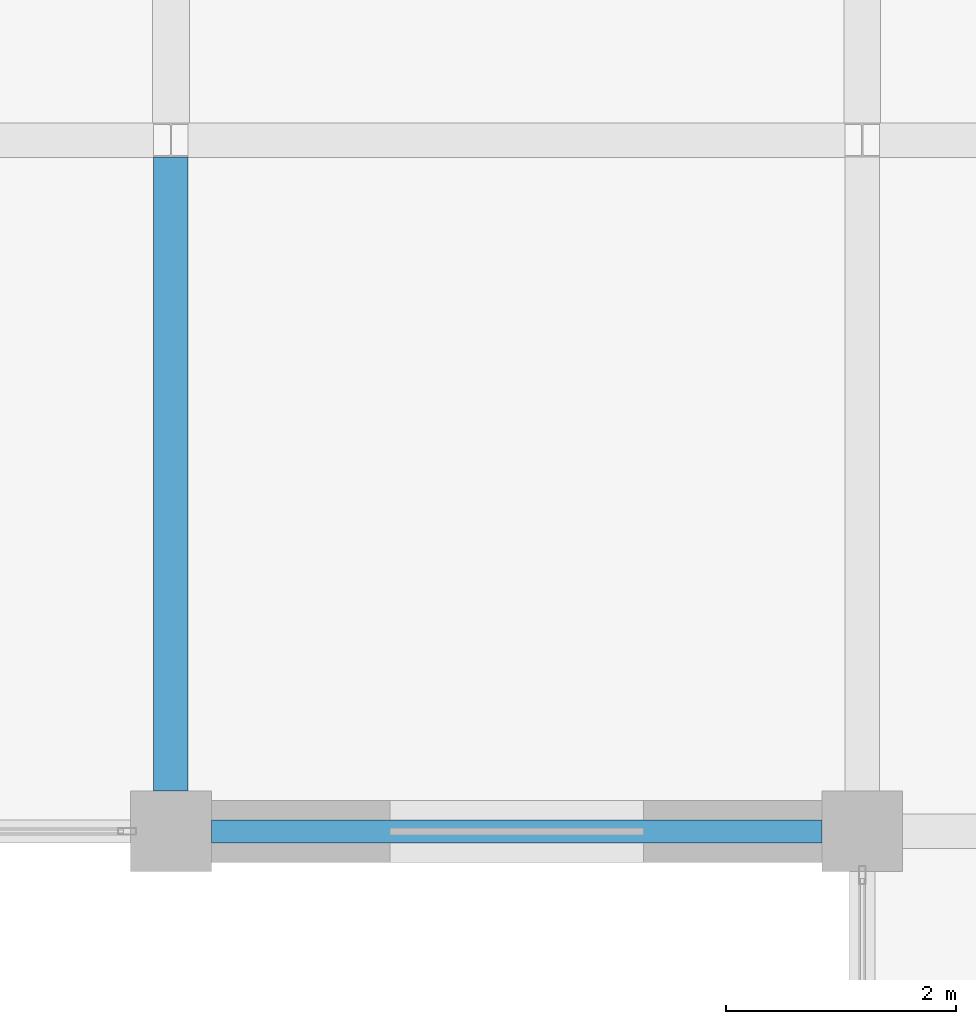
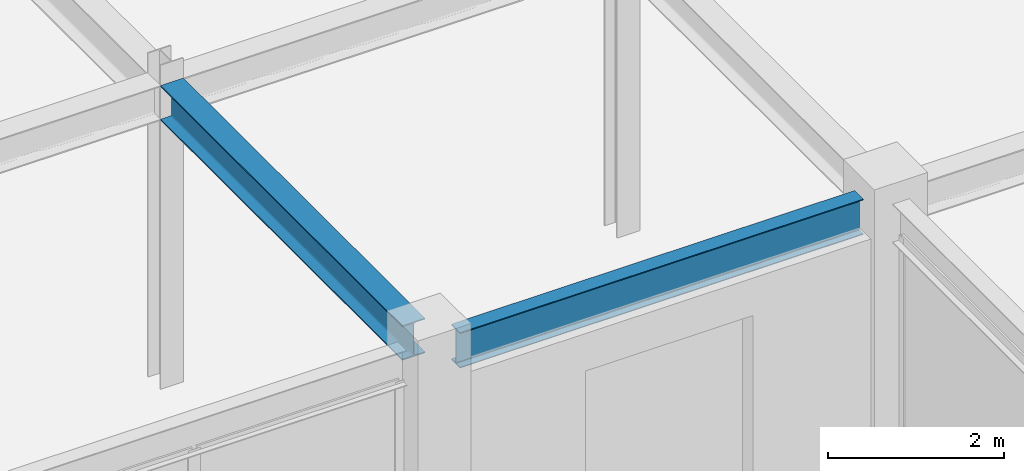
# One storey, part 55 of 108: 2 beams.
"""IFC4 building model written with IfcOpenShell, lengths in metres."""

from ifc_helpers import new_model, si_unit, direction, frame, origin, origin_2d, place, context, subcontext, project, spatial, i_section, extrude, material, material_profile, profile_set, type_object, element, save


model = new_model("IFC4")

# Units and contexts
model_context = context("Model", 3, precision=1e-05, world=origin(), true_north=direction((0.0, 1.0)))
body_context = subcontext(model_context, "Body", "Model", "MODEL_VIEW")
ifc_project = project(units=[si_unit("LENGTHUNIT", "METRE"), si_unit("AREAUNIT", "SQUARE_METRE"), si_unit("VOLUMEUNIT", "CUBIC_METRE"), si_unit("PLANEANGLEUNIT", "RADIAN"), si_unit("MASSUNIT", "GRAM", prefix="KILO")], contexts=[model_context])

# Site, building, storey
site_placement = place(None, origin())
site = spatial("IfcSite", under=ifc_project, at=site_placement, CompositionType="ELEMENT")
building_placement = place(site_placement, origin())
building = spatial("IfcBuilding", under=site, at=building_placement, Name="Zlatovratsky Civic Hall", CompositionType="ELEMENT")
storey_placement = place(building_placement, frame((0.0, 0.0, 12.0)))
storey = spatial("IfcBuildingStorey", under=building, at=storey_placement, Name="L03", CompositionType="ELEMENT", Elevation=12.0)

# Beams
ifc_material = material(Name="Steel S355", Category="steel")
ifc_material_profile_1 = material_profile(ifc_material, i_section(OverallWidth=0.300048828125, OverallDepth=0.48193359375, WebThickness=0.010986328125, FlangeThickness=0.014892578125, FilletRadius=0.02392578125, at=origin_2d()), Name="50Sh1")
ifc_profile_set_1 = profile_set([ifc_material_profile_1], Name="Steel S355")
beam_type_1 = type_object("IfcBeamType", Name="Beam_LibraryGirder_50Sh1", PredefinedType="BEAM", material=ifc_profile_set_1)
beam_1_placement = place(storey_placement, frame((108.0, 12.35009765625, 3.97900390625), z_axis=(0.0, 1.0, 0.0), x_axis=(-1.0, 0.0, 0.0)))
element("IfcBeam", 1, at=beam_1_placement, inside=storey, type_object=beam_type_1, Name="BM-2997", PredefinedType="BEAM", context=body_context, shape_type="SweptSolid", body=[
    extrude(i_section(OverallWidth=0.300048828125, OverallDepth=0.48193359375, WebThickness=0.010986328125, FlangeThickness=0.014892578125, FilletRadius=0.02392578125, at=origin_2d()), origin(), (0.0, 0.0, 1.0), 5.501953125),
])
ifc_material_profile_2 = material_profile(ifc_material, i_section(OverallWidth=0.198974609375, OverallDepth=0.491943359375, WebThickness=0.0087890625, FlangeThickness=0.011962890625, FilletRadius=0.01611328125, at=origin_2d()), Name="50B1")
ifc_profile_set_2 = profile_set([ifc_material_profile_2], Name="Steel S355")
beam_type_2 = type_object("IfcBeamType", Name="Beam_Spandrel_50B1", PredefinedType="SPANDREL", material=ifc_profile_set_2)
beam_2_placement = place(storey_placement, frame((108.35009765625, 12.0, 3.97412109375), z_axis=(1.0, 0.0, 0.0), x_axis=(0.0, 1.0, 0.0)))
element("IfcBeam", 2, at=beam_2_placement, inside=storey, type_object=beam_type_2, Name="BM-2496", PredefinedType="SPANDREL", context=body_context, shape_type="SweptSolid", body=[
    extrude(i_section(OverallWidth=0.198974609375, OverallDepth=0.491943359375, WebThickness=0.0087890625, FlangeThickness=0.011962890625, FilletRadius=0.01611328125, at=origin_2d()), origin(), (0.0, 0.0, 1.0), 5.2998046875),
])

save(model, "model.ifc")
